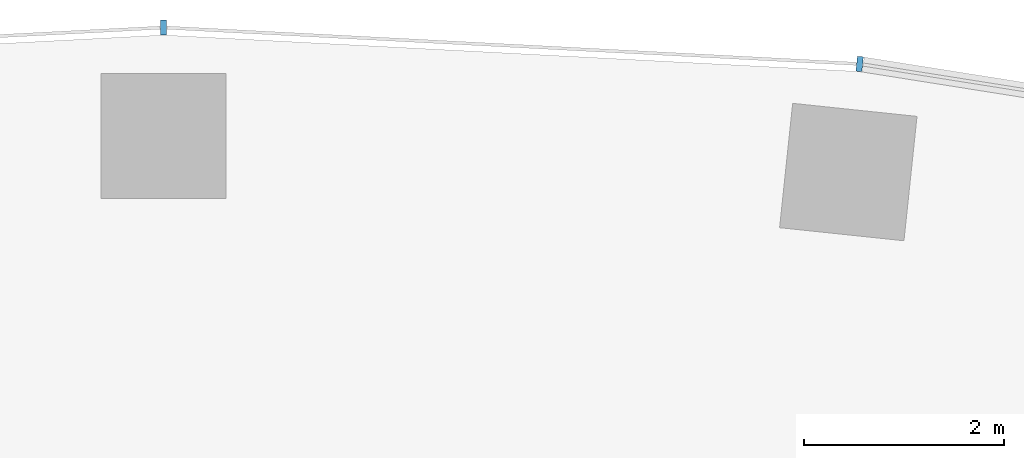
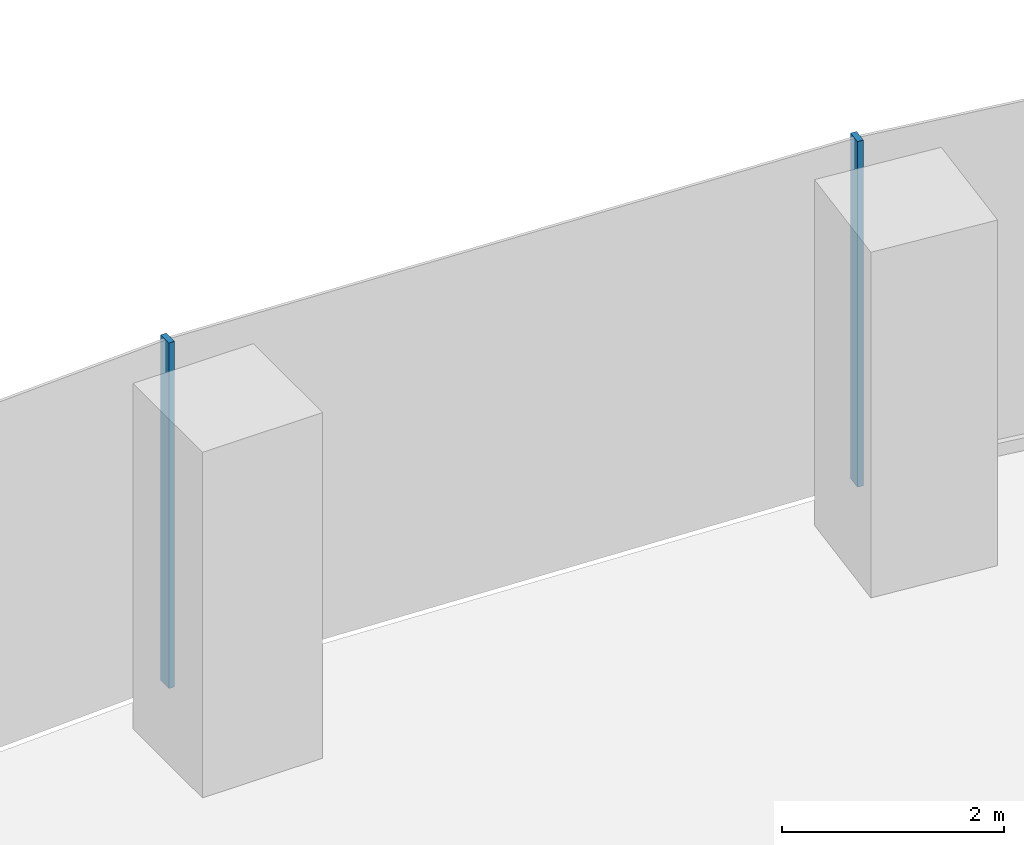
# One storey, part 7 of 21: 2 members, 1 element without a shape of its own.
"""IFC4 building model written with IfcOpenShell, lengths in metres."""

import ifcopenshell
import ifcopenshell.guid

model = None  # the IFC model being written
_history = None  # IfcOwnerHistory: only IFC2X3 demands one
_inside = {}  # id of a spatial element -> (the spatial element, [elements in it])
_under = {}  # id of a project, library or spatial element -> (it, [spatial elements below it])
_declared = {}  # id of a project -> (the project, [libraries it declares])
_typed = {}  # id of a type object -> (the type object, [elements of that type])
_made_of = {}  # id of a material, layer set ... -> (it, [elements and type objects made of it])


def new_model(schema):
    """Start an empty IFC model of exactly this schema.

    Asked for "IFC4X3", IfcOpenShell would pick the latest addendum, in which some entities
    have other attributes; the version numbers below select the first issue.
    IFC2X3 requires an IfcOwnerHistory on every rooted entity: one is made here for all.
    """
    global model, _history
    if schema == "IFC4X3":
        model = ifcopenshell.file(schema_version=(4, 3, 0, 0))
    else:
        model = ifcopenshell.file(schema=schema)
    _inside.clear()
    _under.clear()
    _declared.clear()
    _typed.clear()
    _made_of.clear()
    _history = None
    if model.schema == "IFC2X3":
        org = make("IfcOrganization", Name="unknown")
        user = make(
            "IfcPersonAndOrganization",
            ThePerson=make("IfcPerson", FamilyName="unknown"),
            TheOrganization=org,
        )
        app = make(
            "IfcApplication",
            ApplicationDeveloper=org,
            Version="unknown",
            ApplicationFullName="unknown",
            ApplicationIdentifier="unknown",
        )
        _history = make(
            "IfcOwnerHistory",
            OwningUser=user,
            OwningApplication=app,
            ChangeAction="ADDED",
            CreationDate=0,
        )
    return model


def make(cls, **values):
    """One entity of the class cls with the attributes given. An attribute that is None is left unset."""
    return model.create_entity(
        cls, **{name: value for name, value in values.items() if value is not None}
    )


def rooted(cls, **values):
    """An entity with a GlobalId (a new one), such as an element, a storey or a relation."""
    return make(cls, GlobalId=ifcopenshell.guid.new(), OwnerHistory=_history, **values)


def si_unit(unit_type, name, prefix=None):
    """IfcSIUnit, for example si_unit("LENGTHUNIT", "METRE", prefix="MILLI")."""
    return make("IfcSIUnit", UnitType=unit_type, Prefix=prefix, Name=name)


def assignment(units):
    """IfcUnitAssignment: the units of a project."""
    return None if units is None else make("IfcUnitAssignment", Units=units)


def point(xyz):
    """IfcCartesianPoint."""
    return None if xyz is None else make("IfcCartesianPoint", Coordinates=xyz)


def direction(xyz):
    """IfcDirection."""
    return None if xyz is None else make("IfcDirection", DirectionRatios=xyz)


def frame(location, z_axis=None, x_axis=None):
    """IfcAxis2Placement3D, a coordinate frame: its origin and axes. An axis left out is left unset."""
    return make(
        "IfcAxis2Placement3D",
        Location=point(location),
        Axis=direction(z_axis),
        RefDirection=direction(x_axis),
    )


def frame_2d(location, x_axis=None):
    """IfcAxis2Placement2D, a coordinate frame in the plane: its origin and x axis."""
    return make(
        "IfcAxis2Placement2D", Location=point(location), RefDirection=direction(x_axis)
    )


def origin():
    """The frame at (0, 0, 0) with its axes left unset."""
    return frame((0.0, 0.0, 0.0))


def origin_2d():
    """The frame at (0, 0) in the plane with its x axis left unset."""
    return frame_2d((0.0, 0.0))


def place(relative_to, where):
    """IfcLocalPlacement: puts the frame where relative to a parent placement (None: the world)."""
    return make(
        "IfcLocalPlacement", PlacementRelTo=relative_to, RelativePlacement=where
    )


def context(
    kind, dimensions, precision=None, world=None, true_north=None, identifier=None
):
    """IfcGeometricRepresentationContext, for example the 3D "Model" context."""
    return make(
        "IfcGeometricRepresentationContext",
        ContextIdentifier=identifier,
        ContextType=kind,
        CoordinateSpaceDimension=dimensions,
        Precision=precision,
        WorldCoordinateSystem=world,
        TrueNorth=true_north,
    )


def subcontext(parent, identifier, kind, view, scale=None):
    """IfcGeometricRepresentationSubContext, for example "Body" below "Model"."""
    return make(
        "IfcGeometricRepresentationSubContext",
        ContextIdentifier=identifier,
        ContextType=kind,
        ParentContext=parent,
        TargetScale=scale,
        TargetView=view,
    )


def project(units=None, contexts=None):
    """IfcProject with its units and contexts."""
    return rooted(
        "IfcProject",
        Name="project",
        RepresentationContexts=contexts,
        UnitsInContext=assignment(units),
    )


def spatial(cls, under=None, at=None, **own):
    """A site, building, storey or space (cls), placed at a placement, below another one or the project."""
    s = rooted(cls, ObjectPlacement=at, **own)
    if under is not None:
        _under.setdefault(under.id(), (under, []))[1].append(s)
    return s


def profile(cls, at=None, kind="AREA", **sizes):
    """A parametric profile (cls). Its sizes go by their IFC names, for example OverallWidth=200.0."""
    return make(cls, ProfileType=kind, Position=at, **sizes)


def rectangle(**sizes):
    """IfcRectangleProfileDef."""
    return profile("IfcRectangleProfileDef", **sizes)


def extrude(swept, where, along, depth):
    """IfcExtrudedAreaSolid: the profile swept, set in the frame where, extruded along a direction by depth."""
    return make(
        "IfcExtrudedAreaSolid",
        SweptArea=swept,
        Position=where,
        ExtrudedDirection=direction(along),
        Depth=depth,
    )


def shape(context_of_items, identifier, shape_type, items):
    """IfcShapeRepresentation: the items that make up one representation, for example the "Body"."""
    return make(
        "IfcShapeRepresentation",
        ContextOfItems=context_of_items,
        RepresentationIdentifier=identifier,
        RepresentationType=shape_type,
        Items=items,
    )


def material(Name=None, Category=None):
    """IfcMaterial."""
    return make("IfcMaterial", Name=Name, Category=Category)


def layer(
    of_material, thickness, ventilated=None, Name=None, Category=None, Priority=None
):
    """IfcMaterialLayer: one layer of a wall or slab, of a material (None: an air gap)."""
    return make(
        "IfcMaterialLayer",
        Material=of_material,
        LayerThickness=thickness,
        IsVentilated=ventilated,
        Name=Name,
        Category=Category,
        Priority=Priority,
    )


def layer_set(layers, Name=None):
    """IfcMaterialLayerSet."""
    return make("IfcMaterialLayerSet", MaterialLayers=layers, LayerSetName=Name)


def material_profile(
    of_material, cross_section, Name=None, Category=None, Priority=None
):
    """IfcMaterialProfile: a cross section and its material."""
    return make(
        "IfcMaterialProfile",
        Name=Name,
        Material=of_material,
        Profile=cross_section,
        Priority=Priority,
        Category=Category,
    )


def profile_set(profiles, Name=None, composite=None):
    """IfcMaterialProfileSet."""
    return make(
        "IfcMaterialProfileSet",
        Name=Name,
        MaterialProfiles=profiles,
        CompositeProfile=composite,
    )


def made_of(thing, what):
    """Note that an element or type object is made of a material, layer set ...; save() writes the relation."""
    if what is not None:
        _made_of.setdefault(what.id(), (what, []))[1].append(thing)
    return thing


def type_object(cls, material=None, **own):
    """A type object (cls), such as IfcWallType, which elements share."""
    return made_of(rooted(cls, **own), material)


def element(
    cls,
    number,
    at=None,
    inside=None,
    cuts=None,
    type_object=None,
    material=None,
    context=None,
    identifier="Body",
    shape_type=None,
    held_by="IfcProductDefinitionShape",
    body=None,
    shapes=None,
    **own,
):
    """One element of the class cls, such as IfcWall. Its Tag is "e" and its number.

    at: its placement. inside: the storey or other place that contains it. cuts: it is an
    opening in that element (IfcRelVoidsElement). A single representation is given by context,
    identifier, shape_type and body (its items); several are given by shapes. held_by: the class
    of the entity that holds the representations. save() writes the other relations.
    """
    e = rooted(cls, Tag="e%d" % number, ObjectPlacement=at, **own)
    if body is not None:
        shapes = [shape(context, identifier, shape_type, body)]
    if shapes is not None:
        e.Representation = make(held_by, Representations=shapes)
    if inside is not None:
        _inside.setdefault(inside.id(), (inside, []))[1].append(e)
    if cuts is not None:
        rooted(
            "IfcRelVoidsElement", RelatingBuildingElement=cuts, RelatedOpeningElement=e
        )
    if type_object is not None:
        _typed.setdefault(type_object.id(), (type_object, []))[1].append(e)
    return made_of(e, material)


def aggregate(whole, parts):
    """IfcRelAggregates: a whole, such as a stair, and the parts it consists of."""
    return rooted("IfcRelAggregates", RelatingObject=whole, RelatedObjects=parts)


def save(model, path):
    """Write the relations noted so far, then the file.

    IfcRelAggregates (storeys below a building ...), IfcRelContainedInSpatialStructure (elements
    in a storey), IfcRelDefinesByType, IfcRelAssociatesMaterial and IfcRelDeclares: one each for
    every whole, place, type object, material and project.
    """
    for whole, parts in _under.values():
        aggregate(whole, parts)
    for where, things in _inside.values():
        rooted(
            "IfcRelContainedInSpatialStructure",
            RelatedElements=things,
            RelatingStructure=where,
        )
    for kind, things in _typed.values():
        rooted("IfcRelDefinesByType", RelatedObjects=things, RelatingType=kind)
    for what, things in _made_of.values():
        rooted("IfcRelAssociatesMaterial", RelatedObjects=things, RelatingMaterial=what)
    for by, libraries in _declared.values():
        rooted("IfcRelDeclares", RelatingContext=by, RelatedDefinitions=libraries)
    model.write(path)


model = new_model("IFC4")

# Units and contexts
model_context = context("Model", 3, precision=1e-05, world=origin(), true_north=direction((0.0, 1.0)))
body_context = subcontext(model_context, "Body", "Model", "MODEL_VIEW")
ifc_project = project(units=[si_unit("LENGTHUNIT", "METRE"), si_unit("AREAUNIT", "SQUARE_METRE"), si_unit("VOLUMEUNIT", "CUBIC_METRE"), si_unit("PLANEANGLEUNIT", "RADIAN"), si_unit("MASSUNIT", "GRAM", prefix="KILO")], contexts=[model_context])

# Site, building, storey
site_placement = place(None, origin())
site = spatial("IfcSite", under=ifc_project, at=site_placement, CompositionType="ELEMENT")
building_placement = place(site_placement, origin())
building = spatial("IfcBuilding", under=site, at=building_placement, Name="Stone Belt Terrace Tower", CompositionType="ELEMENT")
storey_placement = place(building_placement, frame((0.0, 0.0, 71.800048828125)))
storey = spatial("IfcBuildingStorey", under=building, at=storey_placement, Name="L17", CompositionType="ELEMENT", Elevation=71.800048828125)

# Curtain wall, members
ifc_material = material(Name="Aluminium 6063-T6 anodised frame", Category="aluminium")
ifc_layer = layer(ifc_material, 0.14990234375)
ifc_layer_set = layer_set([ifc_layer], Name="CW-A unitised convex-face curtain wall")
curtain_wall_type = type_object("IfcCurtainWallType", Name="CW-A unitised convex-face curtain wall", PredefinedType="NOTDEFINED", material=ifc_layer_set)
curtain_wall_placement = place(storey_placement, origin())
curtain_wall = element("IfcCurtainWall", 1, at=curtain_wall_placement, inside=storey, type_object=curtain_wall_type, Name="CW-A convex face L17", PredefinedType="NOTDEFINED")
ifc_material_profile = material_profile(ifc_material, rectangle(XDim=0.14990234375, YDim=0.06005859375, at=origin_2d()), Name="Aluminium 6063-T6 60x150")
ifc_profile_set = profile_set([ifc_material_profile], Name="Aluminium 6063-T6 anodised frame")
member_type = type_object("IfcMemberType", Name="CW-A mullion 60 x 150", PredefinedType="MULLION", material=ifc_profile_set)
member_1_placement = place(storey_placement, frame((6.958984375, 66.21044921875, 0.0), z_axis=(0.0, 0.0, 1.0), x_axis=(-0.104528463268, -0.994521895368, 0.0)))
member_1 = element("IfcMember", 2, at=member_1_placement, type_object=member_type, Name="CW-A mullion 8", PredefinedType="MULLION", context=body_context, shape_type="SweptSolid", body=[
    extrude(rectangle(XDim=0.14990234375, YDim=0.06005859375, at=origin_2d()), origin(), (0.0, 0.0, 1.0), 3.800048828125),
])
member_2_placement = place(storey_placement, frame((0.0, 66.5751953125, 0.0), z_axis=(0.0, 0.0, 1.0), x_axis=(0.0, -1.0, 0.0)))
member_2 = element("IfcMember", 3, at=member_2_placement, type_object=member_type, Name="CW-A mullion 9", PredefinedType="MULLION", context=body_context, shape_type="SweptSolid", body=[
    extrude(rectangle(XDim=0.14990234375, YDim=0.06005859375, at=origin_2d()), origin(), (0.0, 0.0, 1.0), 3.800048828125),
])
aggregate(curtain_wall, [member_1, member_2])

save(model, "model.ifc")
